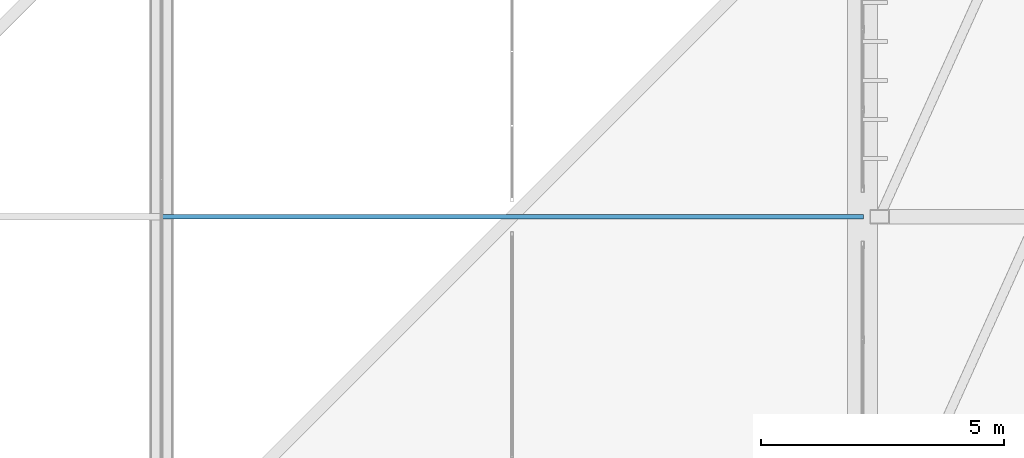
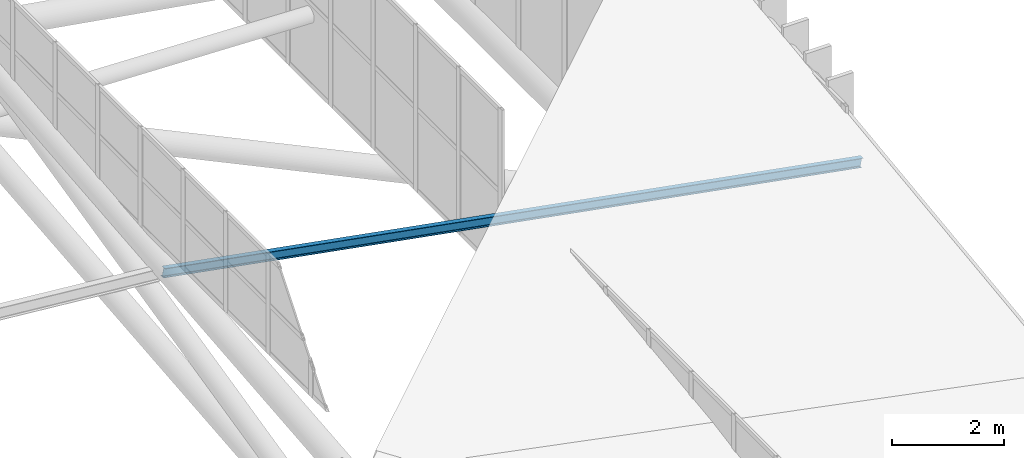
# One storey, part 144 of 397: 1 member.
"""IFC4 building model written with IfcOpenShell, lengths in metres."""

from ifc_helpers import new_model, si_unit, direction, frame, origin, origin_2d, place, context, subcontext, project, spatial, i_section, extrude, material, material_profile, profile_set, type_object, element, save


model = new_model("IFC4")

# Units and contexts
model_context = context("Model", 3, precision=1e-05, world=origin(), true_north=direction((0.0, 1.0)))
body_context = subcontext(model_context, "Body", "Model", "MODEL_VIEW")
ifc_project = project(units=[si_unit("LENGTHUNIT", "METRE"), si_unit("AREAUNIT", "SQUARE_METRE"), si_unit("VOLUMEUNIT", "CUBIC_METRE"), si_unit("PLANEANGLEUNIT", "RADIAN"), si_unit("MASSUNIT", "GRAM", prefix="KILO")], contexts=[model_context])

# Site, building, storey
site_placement = place(None, origin())
site = spatial("IfcSite", under=ifc_project, at=site_placement, CompositionType="ELEMENT")
building_placement = place(site_placement, origin())
building = spatial("IfcBuilding", under=site, at=building_placement, Name="Qandorah Velis Arena", CompositionType="ELEMENT")
storey_placement = place(building_placement, frame((0.0, 0.0, 27.5)))
storey = spatial("IfcBuildingStorey", under=building, at=storey_placement, Name="RF", CompositionType="ELEMENT", Elevation=27.5)

# Member
ifc_material = material(Name="Steel S355", Category="steel")
ifc_material_profile = material_profile(ifc_material, i_section(OverallWidth=0.10009765625, OverallDepth=0.199951171875, WebThickness=0.005615234375, FlangeThickness=0.008544921875, FilletRadius=0.011962890625, at=origin_2d()), Name="IPE 200")
ifc_profile_set = profile_set([ifc_material_profile], Name="Steel S355")
member_type = type_object("IfcMemberType", Name="STR-PRL-IPE200", PredefinedType="PURLIN", material=ifc_profile_set)
member_placement = place(storey_placement, frame((100.800048828125, 36.0, 7.94140625), z_axis=(0.983690364316, 0.0, -0.179870139689), x_axis=(0.0, 1.0, 0.0)))
element("IfcMember", 1, at=member_placement, inside=storey, type_object=member_type, Name="Arena roof purlin PRL-6.1", PredefinedType="PURLIN", context=body_context, shape_type="SweptSolid", body=[
    extrude(i_section(OverallWidth=0.10009765625, OverallDepth=0.199951171875, WebThickness=0.005615234375, FlangeThickness=0.008544921875, FilletRadius=0.011962890625, at=origin_2d()), origin(), (0.0, 0.0, 1.0), 14.638671875),
])

save(model, "model.ifc")
